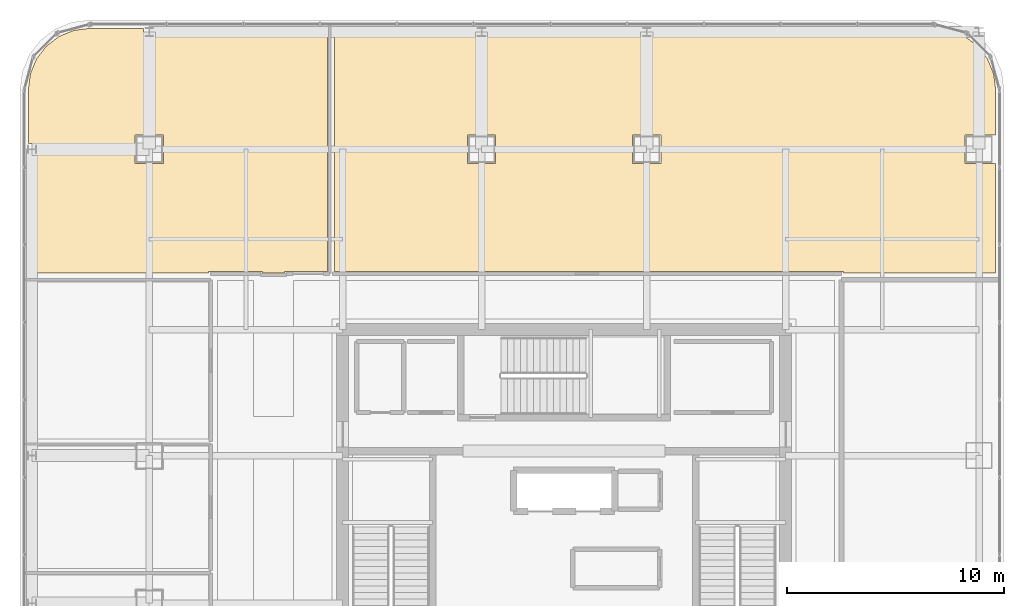
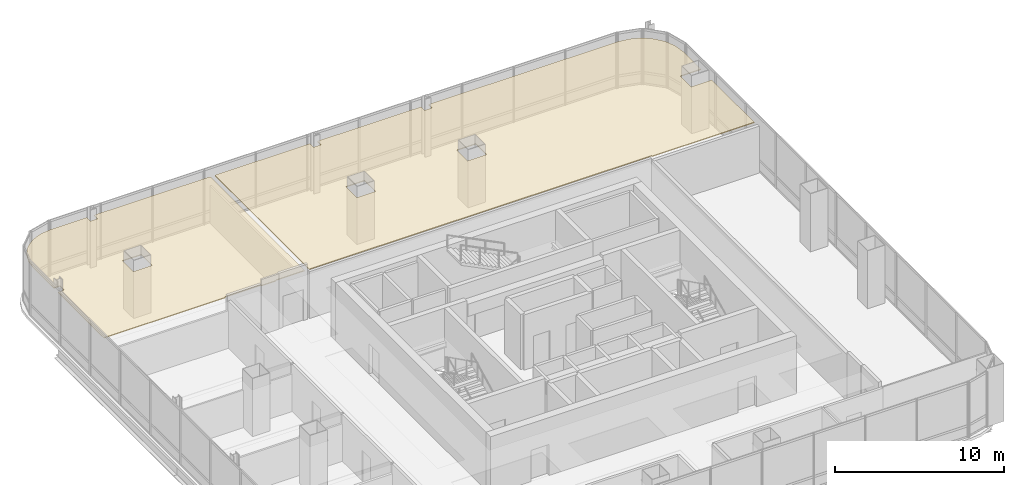
# One storey, part 42 of 42: 2 coverings.
"""IFC4 building model written with IfcOpenShell, lengths in metres."""

import ifcopenshell
import ifcopenshell.guid

model = None  # the IFC model being written
_history = None  # IfcOwnerHistory: only IFC2X3 demands one
_inside = {}  # id of a spatial element -> (the spatial element, [elements in it])
_under = {}  # id of a project, library or spatial element -> (it, [spatial elements below it])
_declared = {}  # id of a project -> (the project, [libraries it declares])
_typed = {}  # id of a type object -> (the type object, [elements of that type])
_made_of = {}  # id of a material, layer set ... -> (it, [elements and type objects made of it])


def new_model(schema):
    """Start an empty IFC model of exactly this schema.

    Asked for "IFC4X3", IfcOpenShell would pick the latest addendum, in which some entities
    have other attributes; the version numbers below select the first issue.
    IFC2X3 requires an IfcOwnerHistory on every rooted entity: one is made here for all.
    """
    global model, _history
    if schema == "IFC4X3":
        model = ifcopenshell.file(schema_version=(4, 3, 0, 0))
    else:
        model = ifcopenshell.file(schema=schema)
    _inside.clear()
    _under.clear()
    _declared.clear()
    _typed.clear()
    _made_of.clear()
    _history = None
    if model.schema == "IFC2X3":
        org = make("IfcOrganization", Name="unknown")
        user = make(
            "IfcPersonAndOrganization",
            ThePerson=make("IfcPerson", FamilyName="unknown"),
            TheOrganization=org,
        )
        app = make(
            "IfcApplication",
            ApplicationDeveloper=org,
            Version="unknown",
            ApplicationFullName="unknown",
            ApplicationIdentifier="unknown",
        )
        _history = make(
            "IfcOwnerHistory",
            OwningUser=user,
            OwningApplication=app,
            ChangeAction="ADDED",
            CreationDate=0,
        )
    return model


def make(cls, **values):
    """One entity of the class cls with the attributes given. An attribute that is None is left unset."""
    return model.create_entity(
        cls, **{name: value for name, value in values.items() if value is not None}
    )


def rooted(cls, **values):
    """An entity with a GlobalId (a new one), such as an element, a storey or a relation."""
    return make(cls, GlobalId=ifcopenshell.guid.new(), OwnerHistory=_history, **values)


def si_unit(unit_type, name, prefix=None):
    """IfcSIUnit, for example si_unit("LENGTHUNIT", "METRE", prefix="MILLI")."""
    return make("IfcSIUnit", UnitType=unit_type, Prefix=prefix, Name=name)


def assignment(units):
    """IfcUnitAssignment: the units of a project."""
    return None if units is None else make("IfcUnitAssignment", Units=units)


def point(xyz):
    """IfcCartesianPoint."""
    return None if xyz is None else make("IfcCartesianPoint", Coordinates=xyz)


def direction(xyz):
    """IfcDirection."""
    return None if xyz is None else make("IfcDirection", DirectionRatios=xyz)


def frame(location, z_axis=None, x_axis=None):
    """IfcAxis2Placement3D, a coordinate frame: its origin and axes. An axis left out is left unset."""
    return make(
        "IfcAxis2Placement3D",
        Location=point(location),
        Axis=direction(z_axis),
        RefDirection=direction(x_axis),
    )


def origin():
    """The frame at (0, 0, 0) with its axes left unset."""
    return frame((0.0, 0.0, 0.0))


def place(relative_to, where):
    """IfcLocalPlacement: puts the frame where relative to a parent placement (None: the world)."""
    return make(
        "IfcLocalPlacement", PlacementRelTo=relative_to, RelativePlacement=where
    )


def context(
    kind, dimensions, precision=None, world=None, true_north=None, identifier=None
):
    """IfcGeometricRepresentationContext, for example the 3D "Model" context."""
    return make(
        "IfcGeometricRepresentationContext",
        ContextIdentifier=identifier,
        ContextType=kind,
        CoordinateSpaceDimension=dimensions,
        Precision=precision,
        WorldCoordinateSystem=world,
        TrueNorth=true_north,
    )


def subcontext(parent, identifier, kind, view, scale=None):
    """IfcGeometricRepresentationSubContext, for example "Body" below "Model"."""
    return make(
        "IfcGeometricRepresentationSubContext",
        ContextIdentifier=identifier,
        ContextType=kind,
        ParentContext=parent,
        TargetScale=scale,
        TargetView=view,
    )


def project(units=None, contexts=None):
    """IfcProject with its units and contexts."""
    return rooted(
        "IfcProject",
        Name="project",
        RepresentationContexts=contexts,
        UnitsInContext=assignment(units),
    )


def spatial(cls, under=None, at=None, **own):
    """A site, building, storey or space (cls), placed at a placement, below another one or the project."""
    s = rooted(cls, ObjectPlacement=at, **own)
    if under is not None:
        _under.setdefault(under.id(), (under, []))[1].append(s)
    return s


def polyline(points):
    """IfcPolyline through the points."""
    return make("IfcPolyline", Points=[point(p) for p in points])


def outline(outer, holes=None, kind="AREA"):
    """IfcArbitraryClosedProfileDef: a profile drawn as a closed curve; with holes, ...WithVoids."""
    if holes is None:
        return make("IfcArbitraryClosedProfileDef", ProfileType=kind, OuterCurve=outer)
    return make(
        "IfcArbitraryProfileDefWithVoids",
        ProfileType=kind,
        OuterCurve=outer,
        InnerCurves=holes,
    )


def extrude(swept, where, along, depth):
    """IfcExtrudedAreaSolid: the profile swept, set in the frame where, extruded along a direction by depth."""
    return make(
        "IfcExtrudedAreaSolid",
        SweptArea=swept,
        Position=where,
        ExtrudedDirection=direction(along),
        Depth=depth,
    )


def shape(context_of_items, identifier, shape_type, items):
    """IfcShapeRepresentation: the items that make up one representation, for example the "Body"."""
    return make(
        "IfcShapeRepresentation",
        ContextOfItems=context_of_items,
        RepresentationIdentifier=identifier,
        RepresentationType=shape_type,
        Items=items,
    )


def material(Name=None, Category=None):
    """IfcMaterial."""
    return make("IfcMaterial", Name=Name, Category=Category)


def layer(
    of_material, thickness, ventilated=None, Name=None, Category=None, Priority=None
):
    """IfcMaterialLayer: one layer of a wall or slab, of a material (None: an air gap)."""
    return make(
        "IfcMaterialLayer",
        Material=of_material,
        LayerThickness=thickness,
        IsVentilated=ventilated,
        Name=Name,
        Category=Category,
        Priority=Priority,
    )


def layer_set(layers, Name=None):
    """IfcMaterialLayerSet."""
    return make("IfcMaterialLayerSet", MaterialLayers=layers, LayerSetName=Name)


def made_of(thing, what):
    """Note that an element or type object is made of a material, layer set ...; save() writes the relation."""
    if what is not None:
        _made_of.setdefault(what.id(), (what, []))[1].append(thing)
    return thing


def type_object(cls, material=None, **own):
    """A type object (cls), such as IfcWallType, which elements share."""
    return made_of(rooted(cls, **own), material)


def element(
    cls,
    number,
    at=None,
    inside=None,
    cuts=None,
    type_object=None,
    material=None,
    context=None,
    identifier="Body",
    shape_type=None,
    held_by="IfcProductDefinitionShape",
    body=None,
    shapes=None,
    **own,
):
    """One element of the class cls, such as IfcWall. Its Tag is "e" and its number.

    at: its placement. inside: the storey or other place that contains it. cuts: it is an
    opening in that element (IfcRelVoidsElement). A single representation is given by context,
    identifier, shape_type and body (its items); several are given by shapes. held_by: the class
    of the entity that holds the representations. save() writes the other relations.
    """
    e = rooted(cls, Tag="e%d" % number, ObjectPlacement=at, **own)
    if body is not None:
        shapes = [shape(context, identifier, shape_type, body)]
    if shapes is not None:
        e.Representation = make(held_by, Representations=shapes)
    if inside is not None:
        _inside.setdefault(inside.id(), (inside, []))[1].append(e)
    if cuts is not None:
        rooted(
            "IfcRelVoidsElement", RelatingBuildingElement=cuts, RelatedOpeningElement=e
        )
    if type_object is not None:
        _typed.setdefault(type_object.id(), (type_object, []))[1].append(e)
    return made_of(e, material)


def aggregate(whole, parts):
    """IfcRelAggregates: a whole, such as a stair, and the parts it consists of."""
    return rooted("IfcRelAggregates", RelatingObject=whole, RelatedObjects=parts)


def save(model, path):
    """Write the relations noted so far, then the file.

    IfcRelAggregates (storeys below a building ...), IfcRelContainedInSpatialStructure (elements
    in a storey), IfcRelDefinesByType, IfcRelAssociatesMaterial and IfcRelDeclares: one each for
    every whole, place, type object, material and project.
    """
    for whole, parts in _under.values():
        aggregate(whole, parts)
    for where, things in _inside.values():
        rooted(
            "IfcRelContainedInSpatialStructure",
            RelatedElements=things,
            RelatingStructure=where,
        )
    for kind, things in _typed.values():
        rooted("IfcRelDefinesByType", RelatedObjects=things, RelatingType=kind)
    for what, things in _made_of.values():
        rooted("IfcRelAssociatesMaterial", RelatedObjects=things, RelatingMaterial=what)
    for by, libraries in _declared.values():
        rooted("IfcRelDeclares", RelatingContext=by, RelatedDefinitions=libraries)
    model.write(path)


model = new_model("IFC4")

# Units and contexts
model_context = context("Model", 3, precision=1e-05, world=origin(), true_north=direction((0.0, 1.0)))
body_context = subcontext(model_context, "Body", "Model", "MODEL_VIEW")
ifc_project = project(units=[si_unit("LENGTHUNIT", "METRE"), si_unit("AREAUNIT", "SQUARE_METRE"), si_unit("VOLUMEUNIT", "CUBIC_METRE"), si_unit("PLANEANGLEUNIT", "RADIAN"), si_unit("MASSUNIT", "GRAM", prefix="KILO")], contexts=[model_context])

# Site, building, storey
site_placement = place(None, origin())
site = spatial("IfcSite", under=ifc_project, at=site_placement, CompositionType="ELEMENT")
building_placement = place(site_placement, origin())
building = spatial("IfcBuilding", under=site, at=building_placement, Name="Punatoya Terracotta Tower", CompositionType="ELEMENT")
storey_placement = place(building_placement, frame((0.0, 0.0, 296.39990234375)))
storey = spatial("IfcBuildingStorey", under=building, at=storey_placement, Name="L70", CompositionType="ELEMENT", Elevation=296.39990234375)

# Coverings
ifc_material = material(Name="Acoustic Mineral Fibre Ceiling")
ifc_layer = layer(ifc_material, 0.06005859375)
ifc_layer_set = layer_set([ifc_layer], Name="Acoustic Mineral Fibre Ceiling")
covering_type = type_object("IfcCoveringType", Name="COV-CEIL-60", PredefinedType="CEILING", material=ifc_layer_set)
covering_1_placement = place(storey_placement, frame((0.0, 0.0, 3.39013671875)))
element("IfcCovering", 1, at=covering_1_placement, inside=storey, type_object=covering_type, Name="L70 Visualization Review Room Acoustic Ceiling", PredefinedType="CEILING", context=body_context, shape_type="SweptSolid", body=[
    extrude(outline(polyline([(-23.25830078125, 22.689453125), (-23.841796875, 22.24169921875), (-24.289306640625, 21.658203125), (-24.57080078125, 20.97900390625), (-24.669921875, 20.22509765625), (-24.669921875, 17.758056640625), (-24.2470703125, 17.758056640625), (-24.2470703125, 17.241943359375), (-24.669921875, 17.241943359375), (-24.669921875, 11.81005859375), (-16.3701171875, 11.81005859375), (-16.3701171875, 11.8701171875), (-13.8798828125, 11.8701171875), (-13.8798828125, 11.81005859375), (-12.8701171875, 11.81005859375), (-12.8701171875, 11.8701171875), (-10.89404296875, 11.8701171875), (-10.89404296875, 23.070068359375), (-18.846923828125, 23.070068359375), (-18.846923828125, 22.64208984375), (-19.35302734375, 22.64208984375), (-19.35302734375, 23.070068359375), (-21.8251953125, 23.070068359375), (-22.5791015625, 22.970703125), (-23.25830078125, 22.689453125)]), holes=[polyline([(-19.75, 18.14990234375), (-18.449951171875, 18.14990234375), (-18.449951171875, 16.85009765625), (-19.75, 16.85009765625), (-19.75, 18.14990234375)])]), origin(), (0.0, 0.0, 1.0), 0.06005859375),
])
covering_2_placement = place(storey_placement, frame((0.0, 0.0, 3.39013671875)))
element("IfcCovering", 2, at=covering_2_placement, inside=storey, type_object=covering_type, Name="L70 Client Media Salon Acoustic Ceiling", PredefinedType="CEILING", context=body_context, shape_type="SweptSolid", body=[
    extrude(outline(polyline([(3.547119140625, 23.070068359375), (-3.547119140625, 23.070068359375), (-3.547119140625, 22.64208984375), (-4.052978515625, 22.64208984375), (-4.052978515625, 23.070068359375), (-10.573974609375, 23.070068359375), (-10.573974609375, 11.8701171875), (12.8701171875, 11.8701171875), (12.8701171875, 11.81005859375), (19.8701171875, 11.81005859375), (19.8701171875, 16.85009765625), (18.449951171875, 16.85009765625), (18.449951171875, 18.14990234375), (19.8701171875, 18.14990234375), (19.8701171875, 20.22509765625), (19.770751953125, 20.97900390625), (19.489501953125, 21.658203125), (19.041748046875, 22.24169921875), (18.458251953125, 22.689453125), (17.779052734375, 22.970703125), (17.025146484375, 23.070068359375), (4.052978515625, 23.070068359375), (4.052978515625, 22.64208984375), (3.547119140625, 22.64208984375), (3.547119140625, 23.070068359375)]), holes=[polyline([(4.449951171875, 16.85009765625), (3.14990234375, 16.85009765625), (3.14990234375, 18.14990234375), (4.449951171875, 18.14990234375), (4.449951171875, 16.85009765625)]), polyline([(-4.449951171875, 16.85009765625), (-4.449951171875, 18.14990234375), (-3.14990234375, 18.14990234375), (-3.14990234375, 16.85009765625), (-4.449951171875, 16.85009765625)])]), origin(), (0.0, 0.0, 1.0), 0.06005859375),
])

save(model, "model.ifc")
